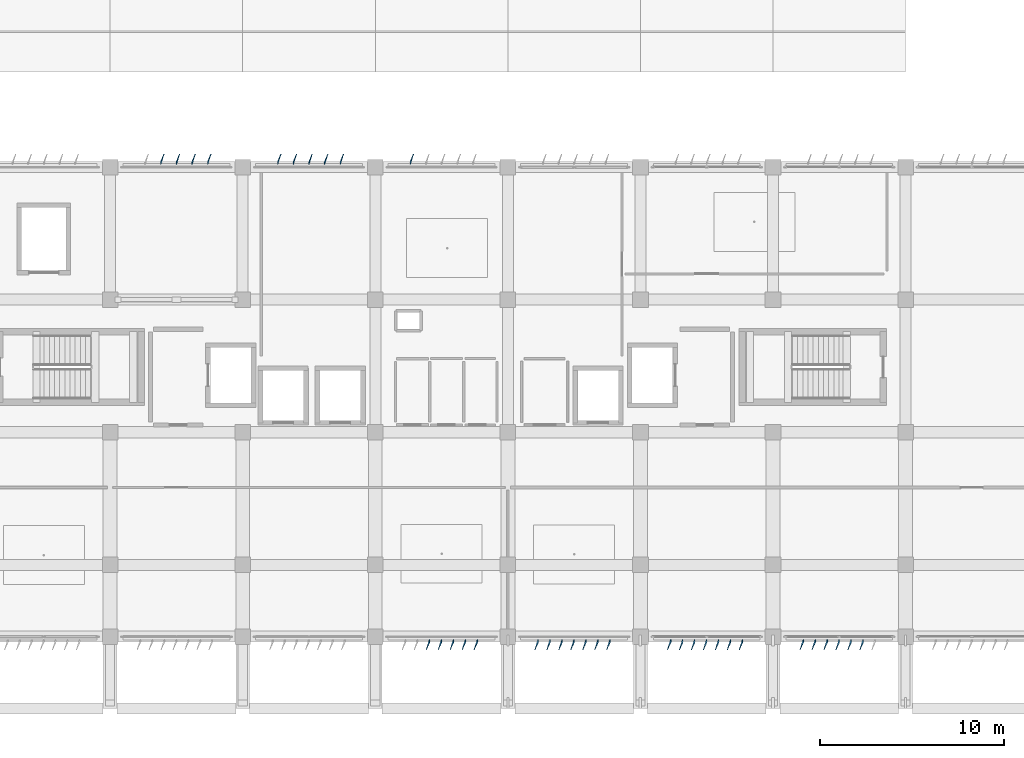
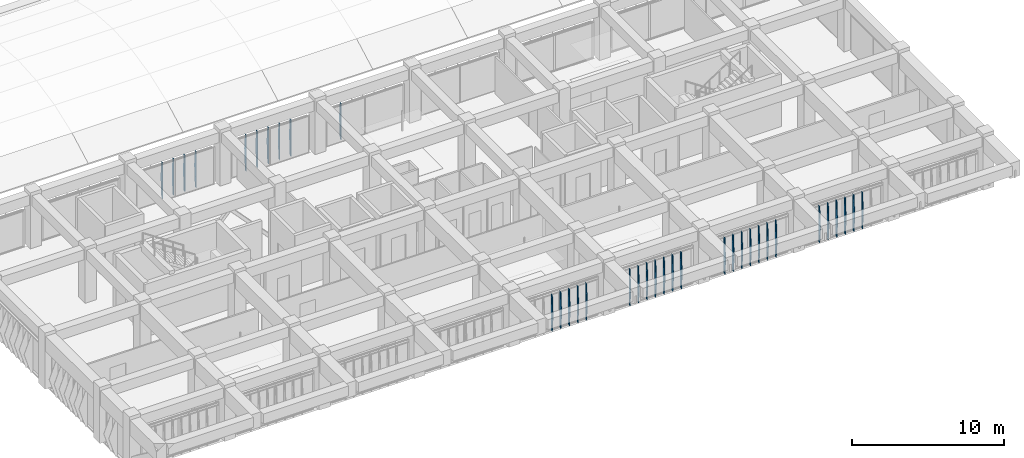
# One storey, part 51 of 56: 35 plates.
"""IFC4 building model written with IfcOpenShell, lengths in metres."""

from ifc_helpers import new_model, si_unit, direction, frame, origin, place, context, subcontext, project, spatial, polygons, material, layer, layer_set, type_object, element, save


model = new_model("IFC4")

# Units and contexts
model_context = context("Model", 3, precision=1e-05, world=origin(), true_north=direction((0.0, 1.0)))
body_context = subcontext(model_context, "Body", "Model", "MODEL_VIEW")
ifc_project = project(units=[si_unit("LENGTHUNIT", "METRE"), si_unit("AREAUNIT", "SQUARE_METRE"), si_unit("VOLUMEUNIT", "CUBIC_METRE"), si_unit("PLANEANGLEUNIT", "RADIAN"), si_unit("MASSUNIT", "GRAM", prefix="KILO")], contexts=[model_context])

# Site, building, storey
site_placement = place(None, origin())
site = spatial("IfcSite", under=ifc_project, at=site_placement, CompositionType="ELEMENT")
building_placement = place(site_placement, origin())
building = spatial("IfcBuilding", under=site, at=building_placement, Name="Kazehaya Institute of Natural Sciences", CompositionType="ELEMENT")
storey_placement = place(building_placement, frame((0.0, 0.0, 24.300048828125)))
storey = spatial("IfcBuildingStorey", under=building, at=storey_placement, Name="L05", CompositionType="ELEMENT", Elevation=24.300048828125)

# Plates
ifc_material = material(Name="Bronze-anodised aluminium alloy A6063S-T5", Category="aluminium")
ifc_layer_1 = layer(ifc_material, 0.02001953125, Name="Bronze-anodised aluminium alloy A6063S-T5", Category="aluminium")
ifc_layer_set_1 = layer_set([ifc_layer_1], Name="Bronze-anodised aluminium alloy A6063S-T5")
plate_type_1 = type_object("IfcPlateType", Name="FIN-DF-N1", PredefinedType="USERDEFINED", material=ifc_layer_set_1)
plate_1_placement = place(storey_placement, origin())
element("IfcPlate", 1, at=plate_1_placement, inside=storey, type_object=plate_type_1, Name="L05 folded diamond-pyramid shading fin FIN-L05-N-0306", ObjectType="SHADING_FIN", PredefinedType="USERDEFINED", context=body_context, shape_type="Tessellation", body=[
    polygons([(71.739990234375, 35.7548828125, 0.0400390625), (71.739990234375, 35.89990234375, 0.0400390625), (71.918701171875, 36.31005859375, 1.5), (71.739990234375, 35.89990234375, 2.9599609375), (71.739990234375, 35.7548828125, 2.9599609375), (71.760009765625, 35.7548828125, 0.0400390625), (71.760009765625, 35.89990234375, 0.0400390625), (71.938720703125, 36.31005859375, 1.5), (71.760009765625, 35.89990234375, 2.9599609375), (71.760009765625, 35.7548828125, 2.9599609375)], [[[1, 5, 4, 3, 2]], [[6, 7, 8, 9, 10]], [[1, 2, 7, 6]], [[2, 3, 8, 7]], [[3, 4, 9, 8]], [[4, 5, 10, 9]], [[5, 1, 6, 10]]], closed=True),
])
plate_2_placement = place(storey_placement, origin())
element("IfcPlate", 2, at=plate_2_placement, inside=storey, type_object=plate_type_1, Name="L05 folded diamond-pyramid shading fin FIN-L05-N-0307", ObjectType="SHADING_FIN", PredefinedType="USERDEFINED", context=body_context, shape_type="Tessellation", body=[
    polygons([(72.590087890625, 35.7548828125, 0.0400390625), (72.590087890625, 35.89990234375, 0.0400390625), (72.768798828125, 36.31005859375, 1.5), (72.590087890625, 35.89990234375, 2.9599609375), (72.590087890625, 35.7548828125, 2.9599609375), (72.610107421875, 35.7548828125, 0.0400390625), (72.610107421875, 35.89990234375, 0.0400390625), (72.788818359375, 36.31005859375, 1.5), (72.610107421875, 35.89990234375, 2.9599609375), (72.610107421875, 35.7548828125, 2.9599609375)], [[[1, 5, 4, 3, 2]], [[6, 7, 8, 9, 10]], [[1, 2, 7, 6]], [[2, 3, 8, 7]], [[3, 4, 9, 8]], [[4, 5, 10, 9]], [[5, 1, 6, 10]]], closed=True),
])
plate_3_placement = place(storey_placement, origin())
element("IfcPlate", 3, at=plate_3_placement, inside=storey, type_object=plate_type_1, Name="L05 folded diamond-pyramid shading fin FIN-L05-N-0308", ObjectType="SHADING_FIN", PredefinedType="USERDEFINED", context=body_context, shape_type="Tessellation", body=[
    polygons([(73.43994140625, 35.7548828125, 0.0400390625), (73.43994140625, 35.89990234375, 0.0400390625), (73.61865234375, 36.31005859375, 1.5), (73.43994140625, 35.89990234375, 2.9599609375), (73.43994140625, 35.7548828125, 2.9599609375), (73.4599609375, 35.7548828125, 0.0400390625), (73.4599609375, 35.89990234375, 0.0400390625), (73.638671875, 36.31005859375, 1.5), (73.4599609375, 35.89990234375, 2.9599609375), (73.4599609375, 35.7548828125, 2.9599609375)], [[[1, 5, 4, 3, 2]], [[6, 7, 8, 9, 10]], [[1, 2, 7, 6]], [[2, 3, 8, 7]], [[3, 4, 9, 8]], [[4, 5, 10, 9]], [[5, 1, 6, 10]]], closed=True),
])
plate_4_placement = place(storey_placement, origin())
element("IfcPlate", 4, at=plate_4_placement, inside=storey, type_object=plate_type_1, Name="L05 folded diamond-pyramid shading fin FIN-L05-N-0309", ObjectType="SHADING_FIN", PredefinedType="USERDEFINED", context=body_context, shape_type="Tessellation", body=[
    polygons([(74.2900390625, 35.7548828125, 0.0400390625), (74.2900390625, 35.89990234375, 0.0400390625), (74.46875, 36.31005859375, 1.5), (74.2900390625, 35.89990234375, 2.9599609375), (74.2900390625, 35.7548828125, 2.9599609375), (74.31005859375, 35.7548828125, 0.0400390625), (74.31005859375, 35.89990234375, 0.0400390625), (74.48876953125, 36.31005859375, 1.5), (74.31005859375, 35.89990234375, 2.9599609375), (74.31005859375, 35.7548828125, 2.9599609375)], [[[1, 5, 4, 3, 2]], [[6, 7, 8, 9, 10]], [[1, 2, 7, 6]], [[2, 3, 8, 7]], [[3, 4, 9, 8]], [[4, 5, 10, 9]], [[5, 1, 6, 10]]], closed=True),
])
plate_5_placement = place(storey_placement, origin())
element("IfcPlate", 5, at=plate_5_placement, inside=storey, type_object=plate_type_1, Name="L05 folded diamond-pyramid shading fin FIN-L05-N-0310", ObjectType="SHADING_FIN", PredefinedType="USERDEFINED", context=body_context, shape_type="Tessellation", body=[
    polygons([(78.090087890625, 35.7548828125, 0.0400390625), (78.090087890625, 35.89990234375, 0.0400390625), (78.268798828125, 36.31005859375, 1.5), (78.090087890625, 35.89990234375, 2.9599609375), (78.090087890625, 35.7548828125, 2.9599609375), (78.110107421875, 35.7548828125, 0.0400390625), (78.110107421875, 35.89990234375, 0.0400390625), (78.288818359375, 36.31005859375, 1.5), (78.110107421875, 35.89990234375, 2.9599609375), (78.110107421875, 35.7548828125, 2.9599609375)], [[[1, 5, 4, 3, 2]], [[6, 7, 8, 9, 10]], [[1, 2, 7, 6]], [[2, 3, 8, 7]], [[3, 4, 9, 8]], [[4, 5, 10, 9]], [[5, 1, 6, 10]]], closed=True),
])
plate_6_placement = place(storey_placement, origin())
element("IfcPlate", 6, at=plate_6_placement, inside=storey, type_object=plate_type_1, Name="L05 folded diamond-pyramid shading fin FIN-L05-N-0311", ObjectType="SHADING_FIN", PredefinedType="USERDEFINED", context=body_context, shape_type="Tessellation", body=[
    polygons([(78.93994140625, 35.7548828125, 0.0400390625), (78.93994140625, 35.89990234375, 0.0400390625), (79.11865234375, 36.31005859375, 1.5), (78.93994140625, 35.89990234375, 2.9599609375), (78.93994140625, 35.7548828125, 2.9599609375), (78.9599609375, 35.7548828125, 0.0400390625), (78.9599609375, 35.89990234375, 0.0400390625), (79.138671875, 36.31005859375, 1.5), (78.9599609375, 35.89990234375, 2.9599609375), (78.9599609375, 35.7548828125, 2.9599609375)], [[[1, 5, 4, 3, 2]], [[6, 7, 8, 9, 10]], [[1, 2, 7, 6]], [[2, 3, 8, 7]], [[3, 4, 9, 8]], [[4, 5, 10, 9]], [[5, 1, 6, 10]]], closed=True),
])
plate_7_placement = place(storey_placement, origin())
element("IfcPlate", 7, at=plate_7_placement, inside=storey, type_object=plate_type_1, Name="L05 folded diamond-pyramid shading fin FIN-L05-N-0312", ObjectType="SHADING_FIN", PredefinedType="USERDEFINED", context=body_context, shape_type="Tessellation", body=[
    polygons([(79.7900390625, 35.7548828125, 0.0400390625), (79.7900390625, 35.89990234375, 0.0400390625), (79.96875, 36.31005859375, 1.5), (79.7900390625, 35.89990234375, 2.9599609375), (79.7900390625, 35.7548828125, 2.9599609375), (79.81005859375, 35.7548828125, 0.0400390625), (79.81005859375, 35.89990234375, 0.0400390625), (79.98876953125, 36.31005859375, 1.5), (79.81005859375, 35.89990234375, 2.9599609375), (79.81005859375, 35.7548828125, 2.9599609375)], [[[1, 5, 4, 3, 2]], [[6, 7, 8, 9, 10]], [[1, 2, 7, 6]], [[2, 3, 8, 7]], [[3, 4, 9, 8]], [[4, 5, 10, 9]], [[5, 1, 6, 10]]], closed=True),
])
plate_8_placement = place(storey_placement, origin())
element("IfcPlate", 8, at=plate_8_placement, inside=storey, type_object=plate_type_1, Name="L05 folded diamond-pyramid shading fin FIN-L05-N-0313", ObjectType="SHADING_FIN", PredefinedType="USERDEFINED", context=body_context, shape_type="Tessellation", body=[
    polygons([(80.639892578125, 35.7548828125, 0.0400390625), (80.639892578125, 35.89990234375, 0.0400390625), (80.818603515625, 36.31005859375, 1.5), (80.639892578125, 35.89990234375, 2.9599609375), (80.639892578125, 35.7548828125, 2.9599609375), (80.659912109375, 35.7548828125, 0.0400390625), (80.659912109375, 35.89990234375, 0.0400390625), (80.838623046875, 36.31005859375, 1.5), (80.659912109375, 35.89990234375, 2.9599609375), (80.659912109375, 35.7548828125, 2.9599609375)], [[[1, 5, 4, 3, 2]], [[6, 7, 8, 9, 10]], [[1, 2, 7, 6]], [[2, 3, 8, 7]], [[3, 4, 9, 8]], [[4, 5, 10, 9]], [[5, 1, 6, 10]]], closed=True),
])
plate_9_placement = place(storey_placement, origin())
element("IfcPlate", 9, at=plate_9_placement, inside=storey, type_object=plate_type_1, Name="L05 folded diamond-pyramid shading fin FIN-L05-N-0314", ObjectType="SHADING_FIN", PredefinedType="USERDEFINED", context=body_context, shape_type="Tessellation", body=[
    polygons([(81.489990234375, 35.7548828125, 0.0400390625), (81.489990234375, 35.89990234375, 0.0400390625), (81.668701171875, 36.31005859375, 1.5), (81.489990234375, 35.89990234375, 2.9599609375), (81.489990234375, 35.7548828125, 2.9599609375), (81.510009765625, 35.7548828125, 0.0400390625), (81.510009765625, 35.89990234375, 0.0400390625), (81.688720703125, 36.31005859375, 1.5), (81.510009765625, 35.89990234375, 2.9599609375), (81.510009765625, 35.7548828125, 2.9599609375)], [[[1, 5, 4, 3, 2]], [[6, 7, 8, 9, 10]], [[1, 2, 7, 6]], [[2, 3, 8, 7]], [[3, 4, 9, 8]], [[4, 5, 10, 9]], [[5, 1, 6, 10]]], closed=True),
])
plate_10_placement = place(storey_placement, origin())
element("IfcPlate", 10, at=plate_10_placement, inside=storey, type_object=plate_type_1, Name="L05 folded diamond-pyramid shading fin FIN-L05-N-0315", ObjectType="SHADING_FIN", PredefinedType="USERDEFINED", context=body_context, shape_type="Tessellation", body=[
    polygons([(85.2900390625, 35.7548828125, 0.0400390625), (85.2900390625, 35.89990234375, 0.0400390625), (85.46875, 36.31005859375, 1.5), (85.2900390625, 35.89990234375, 2.9599609375), (85.2900390625, 35.7548828125, 2.9599609375), (85.31005859375, 35.7548828125, 0.0400390625), (85.31005859375, 35.89990234375, 0.0400390625), (85.48876953125, 36.31005859375, 1.5), (85.31005859375, 35.89990234375, 2.9599609375), (85.31005859375, 35.7548828125, 2.9599609375)], [[[1, 5, 4, 3, 2]], [[6, 7, 8, 9, 10]], [[1, 2, 7, 6]], [[2, 3, 8, 7]], [[3, 4, 9, 8]], [[4, 5, 10, 9]], [[5, 1, 6, 10]]], closed=True),
])
ifc_layer_2 = layer(ifc_material, 0.02001953125, Name="Bronze-anodised aluminium alloy A6063S-T5", Category="aluminium")
ifc_layer_set_2 = layer_set([ifc_layer_2], Name="Bronze-anodised aluminium alloy A6063S-T5")
plate_type_2 = type_object("IfcPlateType", Name="FIN-DF-S1", PredefinedType="USERDEFINED", material=ifc_layer_set_2)
plate_11_placement = place(storey_placement, origin())
element("IfcPlate", 11, at=plate_11_placement, inside=storey, type_object=plate_type_2, Name="L05 folded diamond-pyramid shading fin FIN-L05-S-0240", ObjectType="SHADING_FIN", PredefinedType="USERDEFINED", context=body_context, shape_type="Tessellation", body=[
    polygons([(109.909912109375, 9.945068359375, 0.0400390625), (109.909912109375, 9.800048828125, 0.0400390625), (109.731201171875, 9.389892578125, 1.5), (109.909912109375, 9.800048828125, 2.9599609375), (109.909912109375, 9.945068359375, 2.9599609375), (109.889892578125, 9.945068359375, 0.0400390625), (109.889892578125, 9.800048828125, 0.0400390625), (109.711181640625, 9.389892578125, 1.5), (109.889892578125, 9.800048828125, 2.9599609375), (109.889892578125, 9.945068359375, 2.9599609375)], [[[1, 5, 4, 3, 2]], [[6, 7, 8, 9, 10]], [[1, 2, 7, 6]], [[2, 3, 8, 7]], [[3, 4, 9, 8]], [[4, 5, 10, 9]], [[5, 1, 6, 10]]], closed=True),
])
plate_12_placement = place(storey_placement, origin())
element("IfcPlate", 12, at=plate_12_placement, inside=storey, type_object=plate_type_2, Name="L05 folded diamond-pyramid shading fin FIN-L05-S-0241", ObjectType="SHADING_FIN", PredefinedType="USERDEFINED", context=body_context, shape_type="Tessellation", body=[
    polygons([(109.260009765625, 9.945068359375, 0.0400390625), (109.260009765625, 9.800048828125, 0.0400390625), (109.081298828125, 9.389892578125, 1.5), (109.260009765625, 9.800048828125, 2.9599609375), (109.260009765625, 9.945068359375, 2.9599609375), (109.239990234375, 9.945068359375, 0.0400390625), (109.239990234375, 9.800048828125, 0.0400390625), (109.061279296875, 9.389892578125, 1.5), (109.239990234375, 9.800048828125, 2.9599609375), (109.239990234375, 9.945068359375, 2.9599609375)], [[[1, 5, 4, 3, 2]], [[6, 7, 8, 9, 10]], [[1, 2, 7, 6]], [[2, 3, 8, 7]], [[3, 4, 9, 8]], [[4, 5, 10, 9]], [[5, 1, 6, 10]]], closed=True),
])
plate_13_placement = place(storey_placement, origin())
element("IfcPlate", 13, at=plate_13_placement, inside=storey, type_object=plate_type_2, Name="L05 folded diamond-pyramid shading fin FIN-L05-S-0242", ObjectType="SHADING_FIN", PredefinedType="USERDEFINED", context=body_context, shape_type="Tessellation", body=[
    polygons([(108.610107421875, 9.945068359375, 0.0400390625), (108.610107421875, 9.800048828125, 0.0400390625), (108.431396484375, 9.389892578125, 1.5), (108.610107421875, 9.800048828125, 2.9599609375), (108.610107421875, 9.945068359375, 2.9599609375), (108.590087890625, 9.945068359375, 0.0400390625), (108.590087890625, 9.800048828125, 0.0400390625), (108.411376953125, 9.389892578125, 1.5), (108.590087890625, 9.800048828125, 2.9599609375), (108.590087890625, 9.945068359375, 2.9599609375)], [[[1, 5, 4, 3, 2]], [[6, 7, 8, 9, 10]], [[1, 2, 7, 6]], [[2, 3, 8, 7]], [[3, 4, 9, 8]], [[4, 5, 10, 9]], [[5, 1, 6, 10]]], closed=True),
])
plate_14_placement = place(storey_placement, origin())
element("IfcPlate", 14, at=plate_14_placement, inside=storey, type_object=plate_type_2, Name="L05 folded diamond-pyramid shading fin FIN-L05-S-0243", ObjectType="SHADING_FIN", PredefinedType="USERDEFINED", context=body_context, shape_type="Tessellation", body=[
    polygons([(107.9599609375, 9.945068359375, 0.0400390625), (107.9599609375, 9.800048828125, 0.0400390625), (107.78125, 9.389892578125, 1.5), (107.9599609375, 9.800048828125, 2.9599609375), (107.9599609375, 9.945068359375, 2.9599609375), (107.93994140625, 9.945068359375, 0.0400390625), (107.93994140625, 9.800048828125, 0.0400390625), (107.76123046875, 9.389892578125, 1.5), (107.93994140625, 9.800048828125, 2.9599609375), (107.93994140625, 9.945068359375, 2.9599609375)], [[[1, 5, 4, 3, 2]], [[6, 7, 8, 9, 10]], [[1, 2, 7, 6]], [[2, 3, 8, 7]], [[3, 4, 9, 8]], [[4, 5, 10, 9]], [[5, 1, 6, 10]]], closed=True),
])
plate_15_placement = place(storey_placement, origin())
element("IfcPlate", 15, at=plate_15_placement, inside=storey, type_object=plate_type_2, Name="L05 folded diamond-pyramid shading fin FIN-L05-S-0244", ObjectType="SHADING_FIN", PredefinedType="USERDEFINED", context=body_context, shape_type="Tessellation", body=[
    polygons([(107.31005859375, 9.945068359375, 0.0400390625), (107.31005859375, 9.800048828125, 0.0400390625), (107.13134765625, 9.389892578125, 1.5), (107.31005859375, 9.800048828125, 2.9599609375), (107.31005859375, 9.945068359375, 2.9599609375), (107.2900390625, 9.945068359375, 0.0400390625), (107.2900390625, 9.800048828125, 0.0400390625), (107.111328125, 9.389892578125, 1.5), (107.2900390625, 9.800048828125, 2.9599609375), (107.2900390625, 9.945068359375, 2.9599609375)], [[[1, 5, 4, 3, 2]], [[6, 7, 8, 9, 10]], [[1, 2, 7, 6]], [[2, 3, 8, 7]], [[3, 4, 9, 8]], [[4, 5, 10, 9]], [[5, 1, 6, 10]]], closed=True),
])
plate_16_placement = place(storey_placement, origin())
element("IfcPlate", 16, at=plate_16_placement, inside=storey, type_object=plate_type_2, Name="L05 folded diamond-pyramid shading fin FIN-L05-S-0245", ObjectType="SHADING_FIN", PredefinedType="USERDEFINED", context=body_context, shape_type="Tessellation", body=[
    polygons([(106.659912109375, 9.945068359375, 0.0400390625), (106.659912109375, 9.800048828125, 0.0400390625), (106.481201171875, 9.389892578125, 1.5), (106.659912109375, 9.800048828125, 2.9599609375), (106.659912109375, 9.945068359375, 2.9599609375), (106.639892578125, 9.945068359375, 0.0400390625), (106.639892578125, 9.800048828125, 0.0400390625), (106.461181640625, 9.389892578125, 1.5), (106.639892578125, 9.800048828125, 2.9599609375), (106.639892578125, 9.945068359375, 2.9599609375)], [[[1, 5, 4, 3, 2]], [[6, 7, 8, 9, 10]], [[1, 2, 7, 6]], [[2, 3, 8, 7]], [[3, 4, 9, 8]], [[4, 5, 10, 9]], [[5, 1, 6, 10]]], closed=True),
])
plate_17_placement = place(storey_placement, origin())
element("IfcPlate", 17, at=plate_17_placement, inside=storey, type_object=plate_type_2, Name="L05 folded diamond-pyramid shading fin FIN-L05-S-0246", ObjectType="SHADING_FIN", PredefinedType="USERDEFINED", context=body_context, shape_type="Tessellation", body=[
    polygons([(103.360107421875, 9.945068359375, 0.0400390625), (103.360107421875, 9.800048828125, 0.0400390625), (103.181396484375, 9.389892578125, 1.5), (103.360107421875, 9.800048828125, 2.9599609375), (103.360107421875, 9.945068359375, 2.9599609375), (103.340087890625, 9.945068359375, 0.0400390625), (103.340087890625, 9.800048828125, 0.0400390625), (103.161376953125, 9.389892578125, 1.5), (103.340087890625, 9.800048828125, 2.9599609375), (103.340087890625, 9.945068359375, 2.9599609375)], [[[1, 5, 4, 3, 2]], [[6, 7, 8, 9, 10]], [[1, 2, 7, 6]], [[2, 3, 8, 7]], [[3, 4, 9, 8]], [[4, 5, 10, 9]], [[5, 1, 6, 10]]], closed=True),
])
plate_18_placement = place(storey_placement, origin())
element("IfcPlate", 18, at=plate_18_placement, inside=storey, type_object=plate_type_2, Name="L05 folded diamond-pyramid shading fin FIN-L05-S-0247", ObjectType="SHADING_FIN", PredefinedType="USERDEFINED", context=body_context, shape_type="Tessellation", body=[
    polygons([(102.7099609375, 9.945068359375, 0.0400390625), (102.7099609375, 9.800048828125, 0.0400390625), (102.53125, 9.389892578125, 1.5), (102.7099609375, 9.800048828125, 2.9599609375), (102.7099609375, 9.945068359375, 2.9599609375), (102.68994140625, 9.945068359375, 0.0400390625), (102.68994140625, 9.800048828125, 0.0400390625), (102.51123046875, 9.389892578125, 1.5), (102.68994140625, 9.800048828125, 2.9599609375), (102.68994140625, 9.945068359375, 2.9599609375)], [[[1, 5, 4, 3, 2]], [[6, 7, 8, 9, 10]], [[1, 2, 7, 6]], [[2, 3, 8, 7]], [[3, 4, 9, 8]], [[4, 5, 10, 9]], [[5, 1, 6, 10]]], closed=True),
])
plate_19_placement = place(storey_placement, origin())
element("IfcPlate", 19, at=plate_19_placement, inside=storey, type_object=plate_type_2, Name="L05 folded diamond-pyramid shading fin FIN-L05-S-0248", ObjectType="SHADING_FIN", PredefinedType="USERDEFINED", context=body_context, shape_type="Tessellation", body=[
    polygons([(102.06005859375, 9.945068359375, 0.0400390625), (102.06005859375, 9.800048828125, 0.0400390625), (101.88134765625, 9.389892578125, 1.5), (102.06005859375, 9.800048828125, 2.9599609375), (102.06005859375, 9.945068359375, 2.9599609375), (102.0400390625, 9.945068359375, 0.0400390625), (102.0400390625, 9.800048828125, 0.0400390625), (101.861328125, 9.389892578125, 1.5), (102.0400390625, 9.800048828125, 2.9599609375), (102.0400390625, 9.945068359375, 2.9599609375)], [[[1, 5, 4, 3, 2]], [[6, 7, 8, 9, 10]], [[1, 2, 7, 6]], [[2, 3, 8, 7]], [[3, 4, 9, 8]], [[4, 5, 10, 9]], [[5, 1, 6, 10]]], closed=True),
])
plate_20_placement = place(storey_placement, origin())
element("IfcPlate", 20, at=plate_20_placement, inside=storey, type_object=plate_type_2, Name="L05 folded diamond-pyramid shading fin FIN-L05-S-0249", ObjectType="SHADING_FIN", PredefinedType="USERDEFINED", context=body_context, shape_type="Tessellation", body=[
    polygons([(101.409912109375, 9.945068359375, 0.0400390625), (101.409912109375, 9.800048828125, 0.0400390625), (101.231201171875, 9.389892578125, 1.5), (101.409912109375, 9.800048828125, 2.9599609375), (101.409912109375, 9.945068359375, 2.9599609375), (101.389892578125, 9.945068359375, 0.0400390625), (101.389892578125, 9.800048828125, 0.0400390625), (101.211181640625, 9.389892578125, 1.5), (101.389892578125, 9.800048828125, 2.9599609375), (101.389892578125, 9.945068359375, 2.9599609375)], [[[1, 5, 4, 3, 2]], [[6, 7, 8, 9, 10]], [[1, 2, 7, 6]], [[2, 3, 8, 7]], [[3, 4, 9, 8]], [[4, 5, 10, 9]], [[5, 1, 6, 10]]], closed=True),
])
plate_21_placement = place(storey_placement, origin())
element("IfcPlate", 21, at=plate_21_placement, inside=storey, type_object=plate_type_2, Name="L05 folded diamond-pyramid shading fin FIN-L05-S-0250", ObjectType="SHADING_FIN", PredefinedType="USERDEFINED", context=body_context, shape_type="Tessellation", body=[
    polygons([(100.760009765625, 9.945068359375, 0.0400390625), (100.760009765625, 9.800048828125, 0.0400390625), (100.581298828125, 9.389892578125, 1.5), (100.760009765625, 9.800048828125, 2.9599609375), (100.760009765625, 9.945068359375, 2.9599609375), (100.739990234375, 9.945068359375, 0.0400390625), (100.739990234375, 9.800048828125, 0.0400390625), (100.561279296875, 9.389892578125, 1.5), (100.739990234375, 9.800048828125, 2.9599609375), (100.739990234375, 9.945068359375, 2.9599609375)], [[[1, 5, 4, 3, 2]], [[6, 7, 8, 9, 10]], [[1, 2, 7, 6]], [[2, 3, 8, 7]], [[3, 4, 9, 8]], [[4, 5, 10, 9]], [[5, 1, 6, 10]]], closed=True),
])
plate_22_placement = place(storey_placement, origin())
element("IfcPlate", 22, at=plate_22_placement, inside=storey, type_object=plate_type_2, Name="L05 folded diamond-pyramid shading fin FIN-L05-S-0251", ObjectType="SHADING_FIN", PredefinedType="USERDEFINED", context=body_context, shape_type="Tessellation", body=[
    polygons([(100.110107421875, 9.945068359375, 0.0400390625), (100.110107421875, 9.800048828125, 0.0400390625), (99.931396484375, 9.389892578125, 1.5), (100.110107421875, 9.800048828125, 2.9599609375), (100.110107421875, 9.945068359375, 2.9599609375), (100.090087890625, 9.945068359375, 0.0400390625), (100.090087890625, 9.800048828125, 0.0400390625), (99.911376953125, 9.389892578125, 1.5), (100.090087890625, 9.800048828125, 2.9599609375), (100.090087890625, 9.945068359375, 2.9599609375)], [[[1, 5, 4, 3, 2]], [[6, 7, 8, 9, 10]], [[1, 2, 7, 6]], [[2, 3, 8, 7]], [[3, 4, 9, 8]], [[4, 5, 10, 9]], [[5, 1, 6, 10]]], closed=True),
])
plate_23_placement = place(storey_placement, origin())
element("IfcPlate", 23, at=plate_23_placement, inside=storey, type_object=plate_type_2, Name="L05 folded diamond-pyramid shading fin FIN-L05-S-0252", ObjectType="SHADING_FIN", PredefinedType="USERDEFINED", context=body_context, shape_type="Tessellation", body=[
    polygons([(99.4599609375, 9.945068359375, 0.0400390625), (99.4599609375, 9.800048828125, 0.0400390625), (99.28125, 9.389892578125, 1.5), (99.4599609375, 9.800048828125, 2.9599609375), (99.4599609375, 9.945068359375, 2.9599609375), (99.43994140625, 9.945068359375, 0.0400390625), (99.43994140625, 9.800048828125, 0.0400390625), (99.26123046875, 9.389892578125, 1.5), (99.43994140625, 9.800048828125, 2.9599609375), (99.43994140625, 9.945068359375, 2.9599609375)], [[[1, 5, 4, 3, 2]], [[6, 7, 8, 9, 10]], [[1, 2, 7, 6]], [[2, 3, 8, 7]], [[3, 4, 9, 8]], [[4, 5, 10, 9]], [[5, 1, 6, 10]]], closed=True),
])
plate_24_placement = place(storey_placement, origin())
element("IfcPlate", 24, at=plate_24_placement, inside=storey, type_object=plate_type_2, Name="L05 folded diamond-pyramid shading fin FIN-L05-S-0253", ObjectType="SHADING_FIN", PredefinedType="USERDEFINED", context=body_context, shape_type="Tessellation", body=[
    polygons([(96.159912109375, 9.945068359375, 0.0400390625), (96.159912109375, 9.800048828125, 0.0400390625), (95.981201171875, 9.389892578125, 1.5), (96.159912109375, 9.800048828125, 2.9599609375), (96.159912109375, 9.945068359375, 2.9599609375), (96.139892578125, 9.945068359375, 0.0400390625), (96.139892578125, 9.800048828125, 0.0400390625), (95.961181640625, 9.389892578125, 1.5), (96.139892578125, 9.800048828125, 2.9599609375), (96.139892578125, 9.945068359375, 2.9599609375)], [[[1, 5, 4, 3, 2]], [[6, 7, 8, 9, 10]], [[1, 2, 7, 6]], [[2, 3, 8, 7]], [[3, 4, 9, 8]], [[4, 5, 10, 9]], [[5, 1, 6, 10]]], closed=True),
])
plate_25_placement = place(storey_placement, origin())
element("IfcPlate", 25, at=plate_25_placement, inside=storey, type_object=plate_type_2, Name="L05 folded diamond-pyramid shading fin FIN-L05-S-0254", ObjectType="SHADING_FIN", PredefinedType="USERDEFINED", context=body_context, shape_type="Tessellation", body=[
    polygons([(95.510009765625, 9.945068359375, 0.0400390625), (95.510009765625, 9.800048828125, 0.0400390625), (95.331298828125, 9.389892578125, 1.5), (95.510009765625, 9.800048828125, 2.9599609375), (95.510009765625, 9.945068359375, 2.9599609375), (95.489990234375, 9.945068359375, 0.0400390625), (95.489990234375, 9.800048828125, 0.0400390625), (95.311279296875, 9.389892578125, 1.5), (95.489990234375, 9.800048828125, 2.9599609375), (95.489990234375, 9.945068359375, 2.9599609375)], [[[1, 5, 4, 3, 2]], [[6, 7, 8, 9, 10]], [[1, 2, 7, 6]], [[2, 3, 8, 7]], [[3, 4, 9, 8]], [[4, 5, 10, 9]], [[5, 1, 6, 10]]], closed=True),
])
plate_26_placement = place(storey_placement, origin())
element("IfcPlate", 26, at=plate_26_placement, inside=storey, type_object=plate_type_2, Name="L05 folded diamond-pyramid shading fin FIN-L05-S-0255", ObjectType="SHADING_FIN", PredefinedType="USERDEFINED", context=body_context, shape_type="Tessellation", body=[
    polygons([(94.860107421875, 9.945068359375, 0.0400390625), (94.860107421875, 9.800048828125, 0.0400390625), (94.681396484375, 9.389892578125, 1.5), (94.860107421875, 9.800048828125, 2.9599609375), (94.860107421875, 9.945068359375, 2.9599609375), (94.840087890625, 9.945068359375, 0.0400390625), (94.840087890625, 9.800048828125, 0.0400390625), (94.661376953125, 9.389892578125, 1.5), (94.840087890625, 9.800048828125, 2.9599609375), (94.840087890625, 9.945068359375, 2.9599609375)], [[[1, 5, 4, 3, 2]], [[6, 7, 8, 9, 10]], [[1, 2, 7, 6]], [[2, 3, 8, 7]], [[3, 4, 9, 8]], [[4, 5, 10, 9]], [[5, 1, 6, 10]]], closed=True),
])
plate_27_placement = place(storey_placement, origin())
element("IfcPlate", 27, at=plate_27_placement, inside=storey, type_object=plate_type_2, Name="L05 folded diamond-pyramid shading fin FIN-L05-S-0256", ObjectType="SHADING_FIN", PredefinedType="USERDEFINED", context=body_context, shape_type="Tessellation", body=[
    polygons([(94.2099609375, 9.945068359375, 0.0400390625), (94.2099609375, 9.800048828125, 0.0400390625), (94.03125, 9.389892578125, 1.5), (94.2099609375, 9.800048828125, 2.9599609375), (94.2099609375, 9.945068359375, 2.9599609375), (94.18994140625, 9.945068359375, 0.0400390625), (94.18994140625, 9.800048828125, 0.0400390625), (94.01123046875, 9.389892578125, 1.5), (94.18994140625, 9.800048828125, 2.9599609375), (94.18994140625, 9.945068359375, 2.9599609375)], [[[1, 5, 4, 3, 2]], [[6, 7, 8, 9, 10]], [[1, 2, 7, 6]], [[2, 3, 8, 7]], [[3, 4, 9, 8]], [[4, 5, 10, 9]], [[5, 1, 6, 10]]], closed=True),
])
plate_28_placement = place(storey_placement, origin())
element("IfcPlate", 28, at=plate_28_placement, inside=storey, type_object=plate_type_2, Name="L05 folded diamond-pyramid shading fin FIN-L05-S-0257", ObjectType="SHADING_FIN", PredefinedType="USERDEFINED", context=body_context, shape_type="Tessellation", body=[
    polygons([(93.56005859375, 9.945068359375, 0.0400390625), (93.56005859375, 9.800048828125, 0.0400390625), (93.38134765625, 9.389892578125, 1.5), (93.56005859375, 9.800048828125, 2.9599609375), (93.56005859375, 9.945068359375, 2.9599609375), (93.5400390625, 9.945068359375, 0.0400390625), (93.5400390625, 9.800048828125, 0.0400390625), (93.361328125, 9.389892578125, 1.5), (93.5400390625, 9.800048828125, 2.9599609375), (93.5400390625, 9.945068359375, 2.9599609375)], [[[1, 5, 4, 3, 2]], [[6, 7, 8, 9, 10]], [[1, 2, 7, 6]], [[2, 3, 8, 7]], [[3, 4, 9, 8]], [[4, 5, 10, 9]], [[5, 1, 6, 10]]], closed=True),
])
plate_29_placement = place(storey_placement, origin())
element("IfcPlate", 29, at=plate_29_placement, inside=storey, type_object=plate_type_2, Name="L05 folded diamond-pyramid shading fin FIN-L05-S-0258", ObjectType="SHADING_FIN", PredefinedType="USERDEFINED", context=body_context, shape_type="Tessellation", body=[
    polygons([(92.909912109375, 9.945068359375, 0.0400390625), (92.909912109375, 9.800048828125, 0.0400390625), (92.731201171875, 9.389892578125, 1.5), (92.909912109375, 9.800048828125, 2.9599609375), (92.909912109375, 9.945068359375, 2.9599609375), (92.889892578125, 9.945068359375, 0.0400390625), (92.889892578125, 9.800048828125, 0.0400390625), (92.711181640625, 9.389892578125, 1.5), (92.889892578125, 9.800048828125, 2.9599609375), (92.889892578125, 9.945068359375, 2.9599609375)], [[[1, 5, 4, 3, 2]], [[6, 7, 8, 9, 10]], [[1, 2, 7, 6]], [[2, 3, 8, 7]], [[3, 4, 9, 8]], [[4, 5, 10, 9]], [[5, 1, 6, 10]]], closed=True),
])
plate_30_placement = place(storey_placement, origin())
element("IfcPlate", 30, at=plate_30_placement, inside=storey, type_object=plate_type_2, Name="L05 folded diamond-pyramid shading fin FIN-L05-S-0259", ObjectType="SHADING_FIN", PredefinedType="USERDEFINED", context=body_context, shape_type="Tessellation", body=[
    polygons([(92.260009765625, 9.945068359375, 0.0400390625), (92.260009765625, 9.800048828125, 0.0400390625), (92.081298828125, 9.389892578125, 1.5), (92.260009765625, 9.800048828125, 2.9599609375), (92.260009765625, 9.945068359375, 2.9599609375), (92.239990234375, 9.945068359375, 0.0400390625), (92.239990234375, 9.800048828125, 0.0400390625), (92.061279296875, 9.389892578125, 1.5), (92.239990234375, 9.800048828125, 2.9599609375), (92.239990234375, 9.945068359375, 2.9599609375)], [[[1, 5, 4, 3, 2]], [[6, 7, 8, 9, 10]], [[1, 2, 7, 6]], [[2, 3, 8, 7]], [[3, 4, 9, 8]], [[4, 5, 10, 9]], [[5, 1, 6, 10]]], closed=True),
])
plate_31_placement = place(storey_placement, origin())
element("IfcPlate", 31, at=plate_31_placement, inside=storey, type_object=plate_type_2, Name="L05 folded diamond-pyramid shading fin FIN-L05-S-0260", ObjectType="SHADING_FIN", PredefinedType="USERDEFINED", context=body_context, shape_type="Tessellation", body=[
    polygons([(88.9599609375, 9.945068359375, 0.0400390625), (88.9599609375, 9.800048828125, 0.0400390625), (88.78125, 9.389892578125, 1.5), (88.9599609375, 9.800048828125, 2.9599609375), (88.9599609375, 9.945068359375, 2.9599609375), (88.93994140625, 9.945068359375, 0.0400390625), (88.93994140625, 9.800048828125, 0.0400390625), (88.76123046875, 9.389892578125, 1.5), (88.93994140625, 9.800048828125, 2.9599609375), (88.93994140625, 9.945068359375, 2.9599609375)], [[[1, 5, 4, 3, 2]], [[6, 7, 8, 9, 10]], [[1, 2, 7, 6]], [[2, 3, 8, 7]], [[3, 4, 9, 8]], [[4, 5, 10, 9]], [[5, 1, 6, 10]]], closed=True),
])
plate_32_placement = place(storey_placement, origin())
element("IfcPlate", 32, at=plate_32_placement, inside=storey, type_object=plate_type_2, Name="L05 folded diamond-pyramid shading fin FIN-L05-S-0261", ObjectType="SHADING_FIN", PredefinedType="USERDEFINED", context=body_context, shape_type="Tessellation", body=[
    polygons([(88.31005859375, 9.945068359375, 0.0400390625), (88.31005859375, 9.800048828125, 0.0400390625), (88.13134765625, 9.389892578125, 1.5), (88.31005859375, 9.800048828125, 2.9599609375), (88.31005859375, 9.945068359375, 2.9599609375), (88.2900390625, 9.945068359375, 0.0400390625), (88.2900390625, 9.800048828125, 0.0400390625), (88.111328125, 9.389892578125, 1.5), (88.2900390625, 9.800048828125, 2.9599609375), (88.2900390625, 9.945068359375, 2.9599609375)], [[[1, 5, 4, 3, 2]], [[6, 7, 8, 9, 10]], [[1, 2, 7, 6]], [[2, 3, 8, 7]], [[3, 4, 9, 8]], [[4, 5, 10, 9]], [[5, 1, 6, 10]]], closed=True),
])
plate_33_placement = place(storey_placement, origin())
element("IfcPlate", 33, at=plate_33_placement, inside=storey, type_object=plate_type_2, Name="L05 folded diamond-pyramid shading fin FIN-L05-S-0262", ObjectType="SHADING_FIN", PredefinedType="USERDEFINED", context=body_context, shape_type="Tessellation", body=[
    polygons([(87.659912109375, 9.945068359375, 0.0400390625), (87.659912109375, 9.800048828125, 0.0400390625), (87.481201171875, 9.389892578125, 1.5), (87.659912109375, 9.800048828125, 2.9599609375), (87.659912109375, 9.945068359375, 2.9599609375), (87.639892578125, 9.945068359375, 0.0400390625), (87.639892578125, 9.800048828125, 0.0400390625), (87.461181640625, 9.389892578125, 1.5), (87.639892578125, 9.800048828125, 2.9599609375), (87.639892578125, 9.945068359375, 2.9599609375)], [[[1, 5, 4, 3, 2]], [[6, 7, 8, 9, 10]], [[1, 2, 7, 6]], [[2, 3, 8, 7]], [[3, 4, 9, 8]], [[4, 5, 10, 9]], [[5, 1, 6, 10]]], closed=True),
])
plate_34_placement = place(storey_placement, origin())
element("IfcPlate", 34, at=plate_34_placement, inside=storey, type_object=plate_type_2, Name="L05 folded diamond-pyramid shading fin FIN-L05-S-0263", ObjectType="SHADING_FIN", PredefinedType="USERDEFINED", context=body_context, shape_type="Tessellation", body=[
    polygons([(87.010009765625, 9.945068359375, 0.0400390625), (87.010009765625, 9.800048828125, 0.0400390625), (86.831298828125, 9.389892578125, 1.5), (87.010009765625, 9.800048828125, 2.9599609375), (87.010009765625, 9.945068359375, 2.9599609375), (86.989990234375, 9.945068359375, 0.0400390625), (86.989990234375, 9.800048828125, 0.0400390625), (86.811279296875, 9.389892578125, 1.5), (86.989990234375, 9.800048828125, 2.9599609375), (86.989990234375, 9.945068359375, 2.9599609375)], [[[1, 5, 4, 3, 2]], [[6, 7, 8, 9, 10]], [[1, 2, 7, 6]], [[2, 3, 8, 7]], [[3, 4, 9, 8]], [[4, 5, 10, 9]], [[5, 1, 6, 10]]], closed=True),
])
plate_35_placement = place(storey_placement, origin())
element("IfcPlate", 35, at=plate_35_placement, inside=storey, type_object=plate_type_2, Name="L05 folded diamond-pyramid shading fin FIN-L05-S-0264", ObjectType="SHADING_FIN", PredefinedType="USERDEFINED", context=body_context, shape_type="Tessellation", body=[
    polygons([(86.360107421875, 9.945068359375, 0.0400390625), (86.360107421875, 9.800048828125, 0.0400390625), (86.181396484375, 9.389892578125, 1.5), (86.360107421875, 9.800048828125, 2.9599609375), (86.360107421875, 9.945068359375, 2.9599609375), (86.340087890625, 9.945068359375, 0.0400390625), (86.340087890625, 9.800048828125, 0.0400390625), (86.161376953125, 9.389892578125, 1.5), (86.340087890625, 9.800048828125, 2.9599609375), (86.340087890625, 9.945068359375, 2.9599609375)], [[[1, 5, 4, 3, 2]], [[6, 7, 8, 9, 10]], [[1, 2, 7, 6]], [[2, 3, 8, 7]], [[3, 4, 9, 8]], [[4, 5, 10, 9]], [[5, 1, 6, 10]]], closed=True),
])

save(model, "model.ifc")
